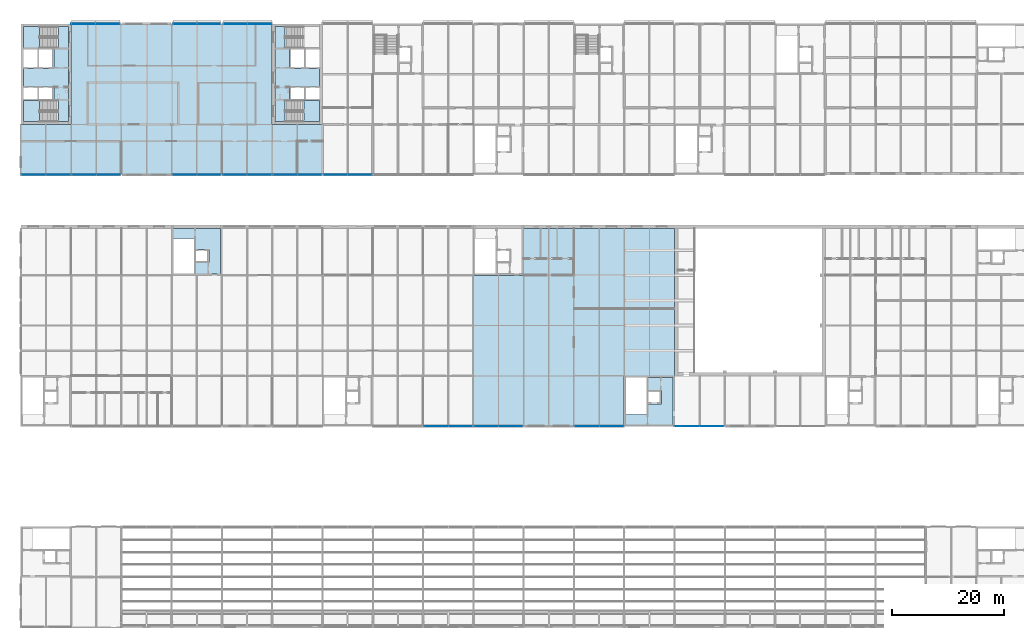
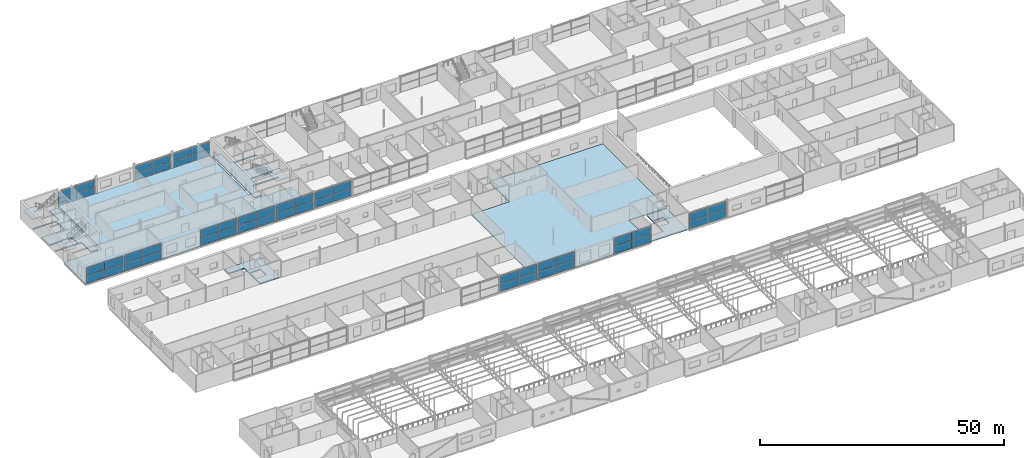
# One storey, part 100 of 138: 52 plates, 9 slabs, 16 elements without a shape of their own.
"""IFC4 building model written with IfcOpenShell, lengths in metres."""

from ifc_helpers import new_model, si_unit, direction, frame, origin, origin_2d, place, context, subcontext, project, spatial, polyline, rectangle, outline, extrude, material, layer, layer_set, type_object, element, aggregate, save


model = new_model("IFC4")

# Units and contexts
model_context = context("Model", 3, precision=1e-05, world=origin(), true_north=direction((0.0, 1.0)))
body_context = subcontext(model_context, "Body", "Model", "MODEL_VIEW")
ifc_project = project(units=[si_unit("LENGTHUNIT", "METRE"), si_unit("AREAUNIT", "SQUARE_METRE"), si_unit("VOLUMEUNIT", "CUBIC_METRE"), si_unit("PLANEANGLEUNIT", "RADIAN"), si_unit("MASSUNIT", "GRAM", prefix="KILO")], contexts=[model_context])

# Site, building, storey
site_placement = place(None, origin())
site = spatial("IfcSite", under=ifc_project, at=site_placement, CompositionType="ELEMENT")
building_placement = place(site_placement, origin())
building = spatial("IfcBuilding", under=site, at=building_placement, Name="Corbel Yard City Hall", CompositionType="ELEMENT")
storey_placement = place(building_placement, frame((0.0, 0.0, 10.5)))
storey = spatial("IfcBuildingStorey", under=building, at=storey_placement, Name="L02", CompositionType="ELEMENT", Elevation=10.5)

# Slabs
ifc_material_1 = material(Name="Concrete N40 (40 MPa)", Category="concrete")
ifc_layer_1 = layer(ifc_material_1, 0.25)
ifc_layer_set_1 = layer_set([ifc_layer_1], Name="Concrete N40 (40 MPa)")
slab_type_1 = type_object("IfcSlabType", Name="CF1", PredefinedType="FLOOR", material=ifc_layer_set_1)
slab_1_placement = place(storey_placement, frame((0.0, 0.0, -0.25)))
element("IfcSlab", 1, at=slab_1_placement, inside=storey, type_object=slab_type_1, Name="Core floor slab", PredefinedType="FLOOR", context=body_context, shape_type="SweptSolid", body=[
    extrude(outline(polyline([(27.25, 80.39990234375), (27.25, 78.59912109375), (31.050048828125, 78.59912109375), (31.050048828125, 72.25), (35.75, 72.25), (35.75, 80.39990234375), (27.25, 80.39990234375)]), holes=[polyline([(33.64990234375, 74.25), (33.64990234375, 76.64990234375), (31.300048828125, 76.64990234375), (31.300048828125, 74.25), (33.64990234375, 74.25)])]), origin(), (0.0, 0.0, 1.0), 0.25),
])
slab_2_placement = place(storey_placement, frame((0.0, 0.0, -0.25)))
element("IfcSlab", 2, at=slab_2_placement, inside=storey, type_object=slab_type_1, Name="Core floor slab", PredefinedType="FLOOR", context=body_context, shape_type="SweptSolid", body=[
    extrude(outline(polyline([(116.75, 53.75), (112.050048828125, 53.75), (112.050048828125, 47.051025390625), (108.25, 47.051025390625), (108.25, 45.25), (116.75, 45.25), (116.75, 53.75)]), holes=[polyline([(114.64990234375, 49.0), (114.64990234375, 51.39990234375), (112.300048828125, 51.39990234375), (112.300048828125, 49.0), (114.64990234375, 49.0)])]), origin(), (0.0, 0.0, 1.0), 0.25),
])
slab_3_placement = place(storey_placement, frame((0.0, 0.0, -0.25)))
element("IfcSlab", 3, at=slab_3_placement, inside=storey, type_object=slab_type_1, Name="Core floor slab", PredefinedType="FLOOR", context=body_context, shape_type="SweptSolid", body=[
    extrude(outline(polyline([(8.5, 116.5), (6.698974609375, 116.5), (6.698974609375, 112.699951171875), (0.5, 112.699951171875), (0.5, 112.449951171875), (5.89990234375, 112.449951171875), (5.89990234375, 109.0), (0.5, 109.0), (0.5, 105.800048828125), (5.89990234375, 105.800048828125), (5.89990234375, 103.550048828125), (0.5, 103.550048828125), (0.5, 103.300048828125), (6.698974609375, 103.300048828125), (6.698974609375, 99.5), (8.5, 99.5), (8.5, 116.5)])), origin(), (0.0, 0.0, 1.0), 0.25),
])
slab_4_placement = place(storey_placement, frame((0.0, 0.0, -0.25)))
element("IfcSlab", 4, at=slab_4_placement, inside=storey, type_object=slab_type_1, Name="Core floor slab", PredefinedType="FLOOR", context=body_context, shape_type="SweptSolid", body=[
    extrude(outline(polyline([(53.5, 103.300048828125), (53.5, 103.550048828125), (48.10009765625, 103.550048828125), (48.10009765625, 105.800048828125), (53.5, 105.800048828125), (53.5, 109.0), (48.10009765625, 109.0), (48.10009765625, 112.449951171875), (53.5, 112.449951171875), (53.5, 112.699951171875), (47.301025390625, 112.699951171875), (47.301025390625, 116.5), (45.5, 116.5), (45.5, 99.5), (47.301025390625, 99.5), (47.301025390625, 103.300048828125), (53.5, 103.300048828125)])), origin(), (0.0, 0.0, 1.0), 0.25),
])
ifc_layer_2 = layer(ifc_material_1, 0.14990234375)
ifc_layer_set_2 = layer_set([ifc_layer_2], Name="Concrete N40 (40 MPa)")
slab_type_2 = type_object("IfcSlabType", Name="Floor slab 150", PredefinedType="FLOOR", material=ifc_layer_set_2)
slab_5_placement = place(storey_placement, frame((0.0, 0.0, -0.14990234375)))
element("IfcSlab", 5, at=slab_5_placement, inside=storey, type_object=slab_type_2, Name="Floor slab Civic Foyer", PredefinedType="FLOOR", context=body_context, shape_type="SweptSolid", body=[
    extrude(outline(polyline([(90.0, 80.39990234375), (90.0, 72.0), (81.0, 72.0), (81.0, 45.0), (108.0, 45.0), (108.0, 54.0), (117.0, 54.0), (117.0, 80.39990234375), (90.0, 80.39990234375)])), origin(), (0.0, 0.0, 1.0), 0.14990234375),
])
slab_6_placement = place(storey_placement, frame((0.0, 0.0, -0.14990234375)))
element("IfcSlab", 6, at=slab_6_placement, inside=storey, type_object=slab_type_2, Name="Floor slab Tower base", PredefinedType="FLOOR", context=body_context, shape_type="SweptSolid", body=[
    extrude(outline(polyline([(54.0, 90.0), (54.0, 99.0), (45.0, 99.0), (45.0, 117.0), (9.0, 117.0), (9.0, 99.0), (0.0, 99.0), (0.0, 90.0), (54.0, 90.0)])), origin(), (0.0, 0.0, 1.0), 0.14990234375),
])

# Stair, slab
stair_type = type_object("IfcStairType", Name="ST1", PredefinedType="HALF_TURN_STAIR", material=ifc_material_1)
stair_1_placement = place(storey_placement, origin())
stair_1 = element("IfcStair", 7, at=stair_1_placement, inside=storey, type_object=stair_type, Name="Exit stair ST-W1 L02", PredefinedType="HALF_TURN_STAIR")
ifc_layer_3 = layer(ifc_material_1, 0.199951171875)
ifc_layer_set_3 = layer_set([ifc_layer_3], Name="Concrete N40 (40 MPa)")
slab_type_3 = type_object("IfcSlabType", Name="LN1", PredefinedType="LANDING", material=ifc_layer_set_3)
slab_7_placement = place(storey_placement, frame((0.0, 0.0, 2.050048828125)))
slab_7 = element("IfcSlab", 8, at=slab_7_placement, type_object=slab_type_3, Name="ST-W1 landing 1", PredefinedType="LANDING", context=body_context, shape_type="SweptSolid", body=[
    extrude(outline(polyline([(0.5, 99.5), (3.340087890625, 99.5), (3.340087890625, 103.300048828125), (0.5, 103.300048828125), (0.5, 99.5)])), origin(), (0.0, 0.0, 1.0), 0.199951171875),
])
aggregate(stair_1, [slab_7])

stair_2_placement = place(storey_placement, origin())
stair_2 = element("IfcStair", 9, at=stair_2_placement, inside=storey, type_object=stair_type, Name="Exit stair ST-W2 L02", PredefinedType="HALF_TURN_STAIR")
slab_8_placement = place(storey_placement, frame((0.0, 0.0, 2.050048828125)))
slab_8 = element("IfcSlab", 10, at=slab_8_placement, type_object=slab_type_3, Name="ST-W2 landing 1", PredefinedType="LANDING", context=body_context, shape_type="SweptSolid", body=[
    extrude(outline(polyline([(0.5, 112.699951171875), (3.340087890625, 112.699951171875), (3.340087890625, 116.5), (0.5, 116.5), (0.5, 112.699951171875)])), origin(), (0.0, 0.0, 1.0), 0.199951171875),
])
aggregate(stair_2, [slab_8])

stair_3_placement = place(storey_placement, origin())
stair_3 = element("IfcStair", 11, at=stair_3_placement, inside=storey, type_object=stair_type, Name="Exit stair ST-E1 L02", PredefinedType="HALF_TURN_STAIR")
slab_9_placement = place(storey_placement, frame((0.0, 0.0, 2.050048828125)))
slab_9 = element("IfcSlab", 12, at=slab_9_placement, type_object=slab_type_3, Name="ST-E1 landing 1", PredefinedType="LANDING", context=body_context, shape_type="SweptSolid", body=[
    extrude(outline(polyline([(50.659912109375, 99.5), (53.5, 99.5), (53.5, 103.300048828125), (50.659912109375, 103.300048828125), (50.659912109375, 99.5)])), origin(), (0.0, 0.0, 1.0), 0.199951171875),
])
aggregate(stair_3, [slab_9])

# Curtain wall, plates
ifc_material_2 = material(Name="Aluminium extrusion", Category="aluminium")
ifc_layer_4 = layer(ifc_material_2, 0.199951171875)
ifc_layer_set_4 = layer_set([ifc_layer_4], Name="Aluminium extrusion")
curtain_wall_type_1 = type_object("IfcCurtainWallType", Name="CW1", PredefinedType="USERDEFINED", material=ifc_layer_set_4)
curtain_wall_1_placement = place(storey_placement, origin())
curtain_wall_1 = element("IfcCurtainWall", 13, at=curtain_wall_1_placement, inside=storey, type_object=curtain_wall_type_1, Name="Curtain wall CW1 L02", ObjectType="CURTAIN WALL", PredefinedType="USERDEFINED")
ifc_material_3 = material(Name="Laminated glass", Category="glass")
ifc_layer_5 = layer(ifc_material_3, 0.035888671875)
ifc_layer_set_5 = layer_set([ifc_layer_5], Name="Laminated glass")
plate_type_1 = type_object("IfcPlateType", Name="PN1", PredefinedType="CURTAIN_PANEL", material=ifc_layer_set_5)
plate_1_placement = place(storey_placement, frame((74.329833984375, 45.0, 0.06494140625), z_axis=(0.0, 0.0, 1.0), x_axis=(1.0, 0.0, 0.0)))
plate_1 = element("IfcPlate", 14, at=plate_1_placement, type_object=plate_type_1, Name="CW1 panel 1.1", PredefinedType="CURTAIN_PANEL", context=body_context, shape_type="SweptSolid", body=[
    extrude(rectangle(XDim=4.275390625, YDim=0.035888671875, at=origin_2d()), origin(), (0.0, 0.0, 1.0), 1.89794921875),
])
plate_2_placement = place(storey_placement, frame((74.329833984375, 45.0, 2.028076171875), z_axis=(0.0, 0.0, 1.0), x_axis=(1.0, 0.0, 0.0)))
plate_2 = element("IfcPlate", 15, at=plate_2_placement, type_object=plate_type_1, Name="CW1 panel 1.2", PredefinedType="CURTAIN_PANEL", context=body_context, shape_type="SweptSolid", body=[
    extrude(rectangle(XDim=4.275390625, YDim=0.035888671875, at=origin_2d()), origin(), (0.0, 0.0, 1.0), 1.89794921875),
])
plate_3_placement = place(storey_placement, frame((78.670166015625, 45.0, 0.06494140625), z_axis=(0.0, 0.0, 1.0), x_axis=(1.0, 0.0, 0.0)))
plate_3 = element("IfcPlate", 16, at=plate_3_placement, type_object=plate_type_1, Name="CW1 panel 2.1", PredefinedType="CURTAIN_PANEL", context=body_context, shape_type="SweptSolid", body=[
    extrude(rectangle(XDim=4.275390625, YDim=0.035888671875, at=origin_2d()), origin(), (0.0, 0.0, 1.0), 1.89794921875),
])
plate_4_placement = place(storey_placement, frame((78.670166015625, 45.0, 2.028076171875), z_axis=(0.0, 0.0, 1.0), x_axis=(1.0, 0.0, 0.0)))
plate_4 = element("IfcPlate", 17, at=plate_4_placement, type_object=plate_type_1, Name="CW1 panel 2.2", PredefinedType="CURTAIN_PANEL", context=body_context, shape_type="SweptSolid", body=[
    extrude(rectangle(XDim=4.275390625, YDim=0.035888671875, at=origin_2d()), origin(), (0.0, 0.0, 1.0), 1.89794921875),
])
aggregate(curtain_wall_1, [plate_1, plate_2, plate_3, plate_4])

curtain_wall_2_placement = place(storey_placement, origin())
curtain_wall_2 = element("IfcCurtainWall", 18, at=curtain_wall_2_placement, inside=storey, type_object=curtain_wall_type_1, Name="Curtain wall CW1 L02", ObjectType="CURTAIN WALL", PredefinedType="USERDEFINED")
plate_5_placement = place(storey_placement, frame((83.329833984375, 45.0, 0.06494140625), z_axis=(0.0, 0.0, 1.0), x_axis=(1.0, 0.0, 0.0)))
plate_5 = element("IfcPlate", 19, at=plate_5_placement, type_object=plate_type_1, Name="CW1 panel 1.1", PredefinedType="CURTAIN_PANEL", context=body_context, shape_type="SweptSolid", body=[
    extrude(rectangle(XDim=4.275390625, YDim=0.035888671875, at=origin_2d()), origin(), (0.0, 0.0, 1.0), 1.89794921875),
])
plate_6_placement = place(storey_placement, frame((83.329833984375, 45.0, 2.028076171875), z_axis=(0.0, 0.0, 1.0), x_axis=(1.0, 0.0, 0.0)))
plate_6 = element("IfcPlate", 20, at=plate_6_placement, type_object=plate_type_1, Name="CW1 panel 1.2", PredefinedType="CURTAIN_PANEL", context=body_context, shape_type="SweptSolid", body=[
    extrude(rectangle(XDim=4.275390625, YDim=0.035888671875, at=origin_2d()), origin(), (0.0, 0.0, 1.0), 1.89794921875),
])
plate_7_placement = place(storey_placement, frame((87.670166015625, 45.0, 0.06494140625), z_axis=(0.0, 0.0, 1.0), x_axis=(1.0, 0.0, 0.0)))
plate_7 = element("IfcPlate", 21, at=plate_7_placement, type_object=plate_type_1, Name="CW1 panel 2.1", PredefinedType="CURTAIN_PANEL", context=body_context, shape_type="SweptSolid", body=[
    extrude(rectangle(XDim=4.275390625, YDim=0.035888671875, at=origin_2d()), origin(), (0.0, 0.0, 1.0), 1.89794921875),
])
plate_8_placement = place(storey_placement, frame((87.670166015625, 45.0, 2.028076171875), z_axis=(0.0, 0.0, 1.0), x_axis=(1.0, 0.0, 0.0)))
plate_8 = element("IfcPlate", 22, at=plate_8_placement, type_object=plate_type_1, Name="CW1 panel 2.2", PredefinedType="CURTAIN_PANEL", context=body_context, shape_type="SweptSolid", body=[
    extrude(rectangle(XDim=4.275390625, YDim=0.035888671875, at=origin_2d()), origin(), (0.0, 0.0, 1.0), 1.89794921875),
])
aggregate(curtain_wall_2, [plate_5, plate_6, plate_7, plate_8])

curtain_wall_3_placement = place(storey_placement, origin())
curtain_wall_3 = element("IfcCurtainWall", 23, at=curtain_wall_3_placement, inside=storey, type_object=curtain_wall_type_1, Name="Curtain wall CW1 L02", ObjectType="CURTAIN WALL", PredefinedType="USERDEFINED")
plate_9_placement = place(storey_placement, frame((101.361572265625, 45.0, 0.06494140625), z_axis=(0.0, 0.0, 1.0), x_axis=(1.0, 0.0, 0.0)))
plate_9 = element("IfcPlate", 24, at=plate_9_placement, type_object=plate_type_1, Name="CW1 panel 1.1", PredefinedType="CURTAIN_PANEL", context=body_context, shape_type="SweptSolid", body=[
    extrude(rectangle(XDim=4.339111328125, YDim=0.035888671875, at=origin_2d()), origin(), (0.0, 0.0, 1.0), 1.89794921875),
])
plate_10_placement = place(storey_placement, frame((101.361572265625, 45.0, 2.028076171875), z_axis=(0.0, 0.0, 1.0), x_axis=(1.0, 0.0, 0.0)))
plate_10 = element("IfcPlate", 25, at=plate_10_placement, type_object=plate_type_1, Name="CW1 panel 1.2", PredefinedType="CURTAIN_PANEL", context=body_context, shape_type="SweptSolid", body=[
    extrude(rectangle(XDim=4.339111328125, YDim=0.035888671875, at=origin_2d()), origin(), (0.0, 0.0, 1.0), 1.89794921875),
])
plate_11_placement = place(storey_placement, frame((105.765380859375, 45.0, 0.06494140625), z_axis=(0.0, 0.0, 1.0), x_axis=(1.0, 0.0, 0.0)))
plate_11 = element("IfcPlate", 26, at=plate_11_placement, type_object=plate_type_1, Name="CW1 panel 2.1", PredefinedType="CURTAIN_PANEL", context=body_context, shape_type="SweptSolid", body=[
    extrude(rectangle(XDim=4.339111328125, YDim=0.035888671875, at=origin_2d()), origin(), (0.0, 0.0, 1.0), 1.89794921875),
])
plate_12_placement = place(storey_placement, frame((105.765380859375, 45.0, 2.028076171875), z_axis=(0.0, 0.0, 1.0), x_axis=(1.0, 0.0, 0.0)))
plate_12 = element("IfcPlate", 27, at=plate_12_placement, type_object=plate_type_1, Name="CW1 panel 2.2", PredefinedType="CURTAIN_PANEL", context=body_context, shape_type="SweptSolid", body=[
    extrude(rectangle(XDim=4.339111328125, YDim=0.035888671875, at=origin_2d()), origin(), (0.0, 0.0, 1.0), 1.89794921875),
])
aggregate(curtain_wall_3, [plate_9, plate_10, plate_11, plate_12])

curtain_wall_4_placement = place(storey_placement, origin())
curtain_wall_4 = element("IfcCurtainWall", 28, at=curtain_wall_4_placement, inside=storey, type_object=curtain_wall_type_1, Name="Curtain wall CW1 L02", ObjectType="CURTAIN WALL", PredefinedType="USERDEFINED")
plate_13_placement = place(storey_placement, frame((2.329833984375, 90.0, 0.06494140625), z_axis=(0.0, 0.0, 1.0), x_axis=(1.0, 0.0, 0.0)))
plate_13 = element("IfcPlate", 29, at=plate_13_placement, type_object=plate_type_1, Name="CW1 panel 1.1", PredefinedType="CURTAIN_PANEL", context=body_context, shape_type="SweptSolid", body=[
    extrude(rectangle(XDim=4.275390625, YDim=0.035888671875, at=origin_2d()), origin(), (0.0, 0.0, 1.0), 1.89794921875),
])
plate_14_placement = place(storey_placement, frame((2.329833984375, 90.0, 2.028076171875), z_axis=(0.0, 0.0, 1.0), x_axis=(1.0, 0.0, 0.0)))
plate_14 = element("IfcPlate", 30, at=plate_14_placement, type_object=plate_type_1, Name="CW1 panel 1.2", PredefinedType="CURTAIN_PANEL", context=body_context, shape_type="SweptSolid", body=[
    extrude(rectangle(XDim=4.275390625, YDim=0.035888671875, at=origin_2d()), origin(), (0.0, 0.0, 1.0), 1.89794921875),
])
plate_15_placement = place(storey_placement, frame((6.670166015625, 90.0, 0.06494140625), z_axis=(0.0, 0.0, 1.0), x_axis=(1.0, 0.0, 0.0)))
plate_15 = element("IfcPlate", 31, at=plate_15_placement, type_object=plate_type_1, Name="CW1 panel 2.1", PredefinedType="CURTAIN_PANEL", context=body_context, shape_type="SweptSolid", body=[
    extrude(rectangle(XDim=4.275390625, YDim=0.035888671875, at=origin_2d()), origin(), (0.0, 0.0, 1.0), 1.89794921875),
])
plate_16_placement = place(storey_placement, frame((6.670166015625, 90.0, 2.028076171875), z_axis=(0.0, 0.0, 1.0), x_axis=(1.0, 0.0, 0.0)))
plate_16 = element("IfcPlate", 32, at=plate_16_placement, type_object=plate_type_1, Name="CW1 panel 2.2", PredefinedType="CURTAIN_PANEL", context=body_context, shape_type="SweptSolid", body=[
    extrude(rectangle(XDim=4.275390625, YDim=0.035888671875, at=origin_2d()), origin(), (0.0, 0.0, 1.0), 1.89794921875),
])
aggregate(curtain_wall_4, [plate_13, plate_14, plate_15, plate_16])

curtain_wall_5_placement = place(storey_placement, origin())
curtain_wall_5 = element("IfcCurtainWall", 33, at=curtain_wall_5_placement, inside=storey, type_object=curtain_wall_type_1, Name="Curtain wall CW1 L02", ObjectType="CURTAIN WALL", PredefinedType="USERDEFINED")
plate_17_placement = place(storey_placement, frame((11.329833984375, 90.0, 0.06494140625), z_axis=(0.0, 0.0, 1.0), x_axis=(1.0, 0.0, 0.0)))
plate_17 = element("IfcPlate", 34, at=plate_17_placement, type_object=plate_type_1, Name="CW1 panel 1.1", PredefinedType="CURTAIN_PANEL", context=body_context, shape_type="SweptSolid", body=[
    extrude(rectangle(XDim=4.275390625, YDim=0.035888671875, at=origin_2d()), origin(), (0.0, 0.0, 1.0), 1.89794921875),
])
plate_18_placement = place(storey_placement, frame((11.329833984375, 90.0, 2.028076171875), z_axis=(0.0, 0.0, 1.0), x_axis=(1.0, 0.0, 0.0)))
plate_18 = element("IfcPlate", 35, at=plate_18_placement, type_object=plate_type_1, Name="CW1 panel 1.2", PredefinedType="CURTAIN_PANEL", context=body_context, shape_type="SweptSolid", body=[
    extrude(rectangle(XDim=4.275390625, YDim=0.035888671875, at=origin_2d()), origin(), (0.0, 0.0, 1.0), 1.89794921875),
])
plate_19_placement = place(storey_placement, frame((15.670166015625, 90.0, 0.06494140625), z_axis=(0.0, 0.0, 1.0), x_axis=(1.0, 0.0, 0.0)))
plate_19 = element("IfcPlate", 36, at=plate_19_placement, type_object=plate_type_1, Name="CW1 panel 2.1", PredefinedType="CURTAIN_PANEL", context=body_context, shape_type="SweptSolid", body=[
    extrude(rectangle(XDim=4.275390625, YDim=0.035888671875, at=origin_2d()), origin(), (0.0, 0.0, 1.0), 1.89794921875),
])
plate_20_placement = place(storey_placement, frame((15.670166015625, 90.0, 2.028076171875), z_axis=(0.0, 0.0, 1.0), x_axis=(1.0, 0.0, 0.0)))
plate_20 = element("IfcPlate", 37, at=plate_20_placement, type_object=plate_type_1, Name="CW1 panel 2.2", PredefinedType="CURTAIN_PANEL", context=body_context, shape_type="SweptSolid", body=[
    extrude(rectangle(XDim=4.275390625, YDim=0.035888671875, at=origin_2d()), origin(), (0.0, 0.0, 1.0), 1.89794921875),
])
aggregate(curtain_wall_5, [plate_17, plate_18, plate_19, plate_20])

curtain_wall_6_placement = place(storey_placement, origin())
curtain_wall_6 = element("IfcCurtainWall", 38, at=curtain_wall_6_placement, inside=storey, type_object=curtain_wall_type_1, Name="Curtain wall CW1 L02", ObjectType="CURTAIN WALL", PredefinedType="USERDEFINED")
plate_21_placement = place(storey_placement, frame((29.329833984375, 90.0, 0.06494140625), z_axis=(0.0, 0.0, 1.0), x_axis=(1.0, 0.0, 0.0)))
plate_21 = element("IfcPlate", 39, at=plate_21_placement, type_object=plate_type_1, Name="CW1 panel 1.1", PredefinedType="CURTAIN_PANEL", context=body_context, shape_type="SweptSolid", body=[
    extrude(rectangle(XDim=4.275390625, YDim=0.035888671875, at=origin_2d()), origin(), (0.0, 0.0, 1.0), 1.89794921875),
])
plate_22_placement = place(storey_placement, frame((29.329833984375, 90.0, 2.028076171875), z_axis=(0.0, 0.0, 1.0), x_axis=(1.0, 0.0, 0.0)))
plate_22 = element("IfcPlate", 40, at=plate_22_placement, type_object=plate_type_1, Name="CW1 panel 1.2", PredefinedType="CURTAIN_PANEL", context=body_context, shape_type="SweptSolid", body=[
    extrude(rectangle(XDim=4.275390625, YDim=0.035888671875, at=origin_2d()), origin(), (0.0, 0.0, 1.0), 1.89794921875),
])
plate_23_placement = place(storey_placement, frame((33.670166015625, 90.0, 0.06494140625), z_axis=(0.0, 0.0, 1.0), x_axis=(1.0, 0.0, 0.0)))
plate_23 = element("IfcPlate", 41, at=plate_23_placement, type_object=plate_type_1, Name="CW1 panel 2.1", PredefinedType="CURTAIN_PANEL", context=body_context, shape_type="SweptSolid", body=[
    extrude(rectangle(XDim=4.275390625, YDim=0.035888671875, at=origin_2d()), origin(), (0.0, 0.0, 1.0), 1.89794921875),
])
plate_24_placement = place(storey_placement, frame((33.670166015625, 90.0, 2.028076171875), z_axis=(0.0, 0.0, 1.0), x_axis=(1.0, 0.0, 0.0)))
plate_24 = element("IfcPlate", 42, at=plate_24_placement, type_object=plate_type_1, Name="CW1 panel 2.2", PredefinedType="CURTAIN_PANEL", context=body_context, shape_type="SweptSolid", body=[
    extrude(rectangle(XDim=4.275390625, YDim=0.035888671875, at=origin_2d()), origin(), (0.0, 0.0, 1.0), 1.89794921875),
])
aggregate(curtain_wall_6, [plate_21, plate_22, plate_23, plate_24])

curtain_wall_7_placement = place(storey_placement, origin())
curtain_wall_7 = element("IfcCurtainWall", 43, at=curtain_wall_7_placement, inside=storey, type_object=curtain_wall_type_1, Name="Curtain wall CW1 L02", ObjectType="CURTAIN WALL", PredefinedType="USERDEFINED")
plate_25_placement = place(storey_placement, frame((38.329833984375, 90.0, 0.06494140625), z_axis=(0.0, 0.0, 1.0), x_axis=(1.0, 0.0, 0.0)))
plate_25 = element("IfcPlate", 44, at=plate_25_placement, type_object=plate_type_1, Name="CW1 panel 1.1", PredefinedType="CURTAIN_PANEL", context=body_context, shape_type="SweptSolid", body=[
    extrude(rectangle(XDim=4.275390625, YDim=0.035888671875, at=origin_2d()), origin(), (0.0, 0.0, 1.0), 1.89794921875),
])
plate_26_placement = place(storey_placement, frame((38.329833984375, 90.0, 2.028076171875), z_axis=(0.0, 0.0, 1.0), x_axis=(1.0, 0.0, 0.0)))
plate_26 = element("IfcPlate", 45, at=plate_26_placement, type_object=plate_type_1, Name="CW1 panel 1.2", PredefinedType="CURTAIN_PANEL", context=body_context, shape_type="SweptSolid", body=[
    extrude(rectangle(XDim=4.275390625, YDim=0.035888671875, at=origin_2d()), origin(), (0.0, 0.0, 1.0), 1.89794921875),
])
plate_27_placement = place(storey_placement, frame((42.670166015625, 90.0, 0.06494140625), z_axis=(0.0, 0.0, 1.0), x_axis=(1.0, 0.0, 0.0)))
plate_27 = element("IfcPlate", 46, at=plate_27_placement, type_object=plate_type_1, Name="CW1 panel 2.1", PredefinedType="CURTAIN_PANEL", context=body_context, shape_type="SweptSolid", body=[
    extrude(rectangle(XDim=4.275390625, YDim=0.035888671875, at=origin_2d()), origin(), (0.0, 0.0, 1.0), 1.89794921875),
])
plate_28_placement = place(storey_placement, frame((42.670166015625, 90.0, 2.028076171875), z_axis=(0.0, 0.0, 1.0), x_axis=(1.0, 0.0, 0.0)))
plate_28 = element("IfcPlate", 47, at=plate_28_placement, type_object=plate_type_1, Name="CW1 panel 2.2", PredefinedType="CURTAIN_PANEL", context=body_context, shape_type="SweptSolid", body=[
    extrude(rectangle(XDim=4.275390625, YDim=0.035888671875, at=origin_2d()), origin(), (0.0, 0.0, 1.0), 1.89794921875),
])
aggregate(curtain_wall_7, [plate_25, plate_26, plate_27, plate_28])

curtain_wall_8_placement = place(storey_placement, origin())
curtain_wall_8 = element("IfcCurtainWall", 48, at=curtain_wall_8_placement, inside=storey, type_object=curtain_wall_type_1, Name="Curtain wall CW1 L02", ObjectType="CURTAIN WALL", PredefinedType="USERDEFINED")
plate_29_placement = place(storey_placement, frame((47.329833984375, 90.0, 0.06494140625), z_axis=(0.0, 0.0, 1.0), x_axis=(1.0, 0.0, 0.0)))
plate_29 = element("IfcPlate", 49, at=plate_29_placement, type_object=plate_type_1, Name="CW1 panel 1.1", PredefinedType="CURTAIN_PANEL", context=body_context, shape_type="SweptSolid", body=[
    extrude(rectangle(XDim=4.275390625, YDim=0.035888671875, at=origin_2d()), origin(), (0.0, 0.0, 1.0), 1.89794921875),
])
plate_30_placement = place(storey_placement, frame((47.329833984375, 90.0, 2.028076171875), z_axis=(0.0, 0.0, 1.0), x_axis=(1.0, 0.0, 0.0)))
plate_30 = element("IfcPlate", 50, at=plate_30_placement, type_object=plate_type_1, Name="CW1 panel 1.2", PredefinedType="CURTAIN_PANEL", context=body_context, shape_type="SweptSolid", body=[
    extrude(rectangle(XDim=4.275390625, YDim=0.035888671875, at=origin_2d()), origin(), (0.0, 0.0, 1.0), 1.89794921875),
])
plate_31_placement = place(storey_placement, frame((51.670166015625, 90.0, 0.06494140625), z_axis=(0.0, 0.0, 1.0), x_axis=(1.0, 0.0, 0.0)))
plate_31 = element("IfcPlate", 51, at=plate_31_placement, type_object=plate_type_1, Name="CW1 panel 2.1", PredefinedType="CURTAIN_PANEL", context=body_context, shape_type="SweptSolid", body=[
    extrude(rectangle(XDim=4.275390625, YDim=0.035888671875, at=origin_2d()), origin(), (0.0, 0.0, 1.0), 1.89794921875),
])
plate_32_placement = place(storey_placement, frame((51.670166015625, 90.0, 2.028076171875), z_axis=(0.0, 0.0, 1.0), x_axis=(1.0, 0.0, 0.0)))
plate_32 = element("IfcPlate", 52, at=plate_32_placement, type_object=plate_type_1, Name="CW1 panel 2.2", PredefinedType="CURTAIN_PANEL", context=body_context, shape_type="SweptSolid", body=[
    extrude(rectangle(XDim=4.275390625, YDim=0.035888671875, at=origin_2d()), origin(), (0.0, 0.0, 1.0), 1.89794921875),
])
aggregate(curtain_wall_8, [plate_29, plate_30, plate_31, plate_32])

curtain_wall_9_placement = place(storey_placement, origin())
curtain_wall_9 = element("IfcCurtainWall", 53, at=curtain_wall_9_placement, inside=storey, type_object=curtain_wall_type_1, Name="Curtain wall CW1 L02", ObjectType="CURTAIN WALL", PredefinedType="USERDEFINED")
plate_33_placement = place(storey_placement, frame((56.329833984375, 90.0, 0.06494140625), z_axis=(0.0, 0.0, 1.0), x_axis=(1.0, 0.0, 0.0)))
plate_33 = element("IfcPlate", 54, at=plate_33_placement, type_object=plate_type_1, Name="CW1 panel 1.1", PredefinedType="CURTAIN_PANEL", context=body_context, shape_type="SweptSolid", body=[
    extrude(rectangle(XDim=4.275390625, YDim=0.035888671875, at=origin_2d()), origin(), (0.0, 0.0, 1.0), 1.89794921875),
])
plate_34_placement = place(storey_placement, frame((56.329833984375, 90.0, 2.028076171875), z_axis=(0.0, 0.0, 1.0), x_axis=(1.0, 0.0, 0.0)))
plate_34 = element("IfcPlate", 55, at=plate_34_placement, type_object=plate_type_1, Name="CW1 panel 1.2", PredefinedType="CURTAIN_PANEL", context=body_context, shape_type="SweptSolid", body=[
    extrude(rectangle(XDim=4.275390625, YDim=0.035888671875, at=origin_2d()), origin(), (0.0, 0.0, 1.0), 1.89794921875),
])
plate_35_placement = place(storey_placement, frame((60.670166015625, 90.0, 0.06494140625), z_axis=(0.0, 0.0, 1.0), x_axis=(1.0, 0.0, 0.0)))
plate_35 = element("IfcPlate", 56, at=plate_35_placement, type_object=plate_type_1, Name="CW1 panel 2.1", PredefinedType="CURTAIN_PANEL", context=body_context, shape_type="SweptSolid", body=[
    extrude(rectangle(XDim=4.275390625, YDim=0.035888671875, at=origin_2d()), origin(), (0.0, 0.0, 1.0), 1.89794921875),
])
plate_36_placement = place(storey_placement, frame((60.670166015625, 90.0, 2.028076171875), z_axis=(0.0, 0.0, 1.0), x_axis=(1.0, 0.0, 0.0)))
plate_36 = element("IfcPlate", 57, at=plate_36_placement, type_object=plate_type_1, Name="CW1 panel 2.2", PredefinedType="CURTAIN_PANEL", context=body_context, shape_type="SweptSolid", body=[
    extrude(rectangle(XDim=4.275390625, YDim=0.035888671875, at=origin_2d()), origin(), (0.0, 0.0, 1.0), 1.89794921875),
])
aggregate(curtain_wall_9, [plate_33, plate_34, plate_35, plate_36])

curtain_wall_10_placement = place(storey_placement, origin())
curtain_wall_10 = element("IfcCurtainWall", 58, at=curtain_wall_10_placement, inside=storey, type_object=curtain_wall_type_1, Name="Curtain wall CW1 L02", ObjectType="CURTAIN WALL", PredefinedType="USERDEFINED")
plate_37_placement = place(storey_placement, frame((11.206298828125, 117.0, 0.06494140625), z_axis=(0.0, 0.0, 1.0), x_axis=(1.0, 0.0, 0.0)))
plate_37 = element("IfcPlate", 59, at=plate_37_placement, type_object=plate_type_1, Name="CW1 panel 1.1", PredefinedType="CURTAIN_PANEL", context=body_context, shape_type="SweptSolid", body=[
    extrude(rectangle(XDim=4.282470703125, YDim=0.035888671875, at=origin_2d()), origin(), (0.0, 0.0, 1.0), 1.672607421875),
])
plate_38_placement = place(storey_placement, frame((11.206298828125, 117.0, 1.80224609375), z_axis=(0.0, 0.0, 1.0), x_axis=(1.0, 0.0, 0.0)))
plate_38 = element("IfcPlate", 60, at=plate_38_placement, type_object=plate_type_1, Name="CW1 panel 1.2", PredefinedType="CURTAIN_PANEL", context=body_context, shape_type="SweptSolid", body=[
    extrude(rectangle(XDim=4.282470703125, YDim=0.035888671875, at=origin_2d()), origin(), (0.0, 0.0, 1.0), 1.672607421875),
])
plate_39_placement = place(storey_placement, frame((15.5537109375, 117.0, 0.06494140625), z_axis=(0.0, 0.0, 1.0), x_axis=(1.0, 0.0, 0.0)))
plate_39 = element("IfcPlate", 61, at=plate_39_placement, type_object=plate_type_1, Name="CW1 panel 2.1", PredefinedType="CURTAIN_PANEL", context=body_context, shape_type="SweptSolid", body=[
    extrude(rectangle(XDim=4.282470703125, YDim=0.035888671875, at=origin_2d()), origin(), (0.0, 0.0, 1.0), 1.672607421875),
])
plate_40_placement = place(storey_placement, frame((15.5537109375, 117.0, 1.80224609375), z_axis=(0.0, 0.0, 1.0), x_axis=(1.0, 0.0, 0.0)))
plate_40 = element("IfcPlate", 62, at=plate_40_placement, type_object=plate_type_1, Name="CW1 panel 2.2", PredefinedType="CURTAIN_PANEL", context=body_context, shape_type="SweptSolid", body=[
    extrude(rectangle(XDim=4.282470703125, YDim=0.035888671875, at=origin_2d()), origin(), (0.0, 0.0, 1.0), 1.672607421875),
])
aggregate(curtain_wall_10, [plate_37, plate_38, plate_39, plate_40])

curtain_wall_11_placement = place(storey_placement, origin())
curtain_wall_11 = element("IfcCurtainWall", 63, at=curtain_wall_11_placement, inside=storey, type_object=curtain_wall_type_1, Name="Curtain wall CW1 L02", ObjectType="CURTAIN WALL", PredefinedType="USERDEFINED")
plate_41_placement = place(storey_placement, frame((29.38623046875, 117.0, 0.06494140625), z_axis=(0.0, 0.0, 1.0), x_axis=(1.0, 0.0, 0.0)))
plate_41 = element("IfcPlate", 64, at=plate_41_placement, type_object=plate_type_1, Name="CW1 panel 1.1", PredefinedType="CURTAIN_PANEL", context=body_context, shape_type="SweptSolid", body=[
    extrude(rectangle(XDim=4.16259765625, YDim=0.035888671875, at=origin_2d()), origin(), (0.0, 0.0, 1.0), 1.672607421875),
])
plate_42_placement = place(storey_placement, frame((29.38623046875, 117.0, 1.80224609375), z_axis=(0.0, 0.0, 1.0), x_axis=(1.0, 0.0, 0.0)))
plate_42 = element("IfcPlate", 65, at=plate_42_placement, type_object=plate_type_1, Name="CW1 panel 1.2", PredefinedType="CURTAIN_PANEL", context=body_context, shape_type="SweptSolid", body=[
    extrude(rectangle(XDim=4.16259765625, YDim=0.035888671875, at=origin_2d()), origin(), (0.0, 0.0, 1.0), 1.672607421875),
])
plate_43_placement = place(storey_placement, frame((33.61376953125, 117.0, 0.06494140625), z_axis=(0.0, 0.0, 1.0), x_axis=(1.0, 0.0, 0.0)))
plate_43 = element("IfcPlate", 66, at=plate_43_placement, type_object=plate_type_1, Name="CW1 panel 2.1", PredefinedType="CURTAIN_PANEL", context=body_context, shape_type="SweptSolid", body=[
    extrude(rectangle(XDim=4.16259765625, YDim=0.035888671875, at=origin_2d()), origin(), (0.0, 0.0, 1.0), 1.672607421875),
])
plate_44_placement = place(storey_placement, frame((33.61376953125, 117.0, 1.80224609375), z_axis=(0.0, 0.0, 1.0), x_axis=(1.0, 0.0, 0.0)))
plate_44 = element("IfcPlate", 67, at=plate_44_placement, type_object=plate_type_1, Name="CW1 panel 2.2", PredefinedType="CURTAIN_PANEL", context=body_context, shape_type="SweptSolid", body=[
    extrude(rectangle(XDim=4.16259765625, YDim=0.035888671875, at=origin_2d()), origin(), (0.0, 0.0, 1.0), 1.672607421875),
])
aggregate(curtain_wall_11, [plate_41, plate_42, plate_43, plate_44])

curtain_wall_12_placement = place(storey_placement, origin())
curtain_wall_12 = element("IfcCurtainWall", 68, at=curtain_wall_12_placement, inside=storey, type_object=curtain_wall_type_1, Name="Curtain wall CW1 L02", ObjectType="CURTAIN WALL", PredefinedType="USERDEFINED")
plate_45_placement = place(storey_placement, frame((38.4462890625, 117.0, 0.06494140625), z_axis=(0.0, 0.0, 1.0), x_axis=(1.0, 0.0, 0.0)))
plate_45 = element("IfcPlate", 69, at=plate_45_placement, type_object=plate_type_1, Name="CW1 panel 1.1", PredefinedType="CURTAIN_PANEL", context=body_context, shape_type="SweptSolid", body=[
    extrude(rectangle(XDim=4.282470703125, YDim=0.035888671875, at=origin_2d()), origin(), (0.0, 0.0, 1.0), 1.672607421875),
])
plate_46_placement = place(storey_placement, frame((38.4462890625, 117.0, 1.80224609375), z_axis=(0.0, 0.0, 1.0), x_axis=(1.0, 0.0, 0.0)))
plate_46 = element("IfcPlate", 70, at=plate_46_placement, type_object=plate_type_1, Name="CW1 panel 1.2", PredefinedType="CURTAIN_PANEL", context=body_context, shape_type="SweptSolid", body=[
    extrude(rectangle(XDim=4.282470703125, YDim=0.035888671875, at=origin_2d()), origin(), (0.0, 0.0, 1.0), 1.672607421875),
])
plate_47_placement = place(storey_placement, frame((42.793701171875, 117.0, 0.06494140625), z_axis=(0.0, 0.0, 1.0), x_axis=(1.0, 0.0, 0.0)))
plate_47 = element("IfcPlate", 71, at=plate_47_placement, type_object=plate_type_1, Name="CW1 panel 2.1", PredefinedType="CURTAIN_PANEL", context=body_context, shape_type="SweptSolid", body=[
    extrude(rectangle(XDim=4.282470703125, YDim=0.035888671875, at=origin_2d()), origin(), (0.0, 0.0, 1.0), 1.672607421875),
])
plate_48_placement = place(storey_placement, frame((42.793701171875, 117.0, 1.80224609375), z_axis=(0.0, 0.0, 1.0), x_axis=(1.0, 0.0, 0.0)))
plate_48 = element("IfcPlate", 72, at=plate_48_placement, type_object=plate_type_1, Name="CW1 panel 2.2", PredefinedType="CURTAIN_PANEL", context=body_context, shape_type="SweptSolid", body=[
    extrude(rectangle(XDim=4.282470703125, YDim=0.035888671875, at=origin_2d()), origin(), (0.0, 0.0, 1.0), 1.672607421875),
])
aggregate(curtain_wall_12, [plate_45, plate_46, plate_47, plate_48])

ifc_layer_6 = layer(ifc_material_2, 0.219970703125)
ifc_layer_set_6 = layer_set([ifc_layer_6], Name="Aluminium extrusion")
curtain_wall_type_2 = type_object("IfcCurtainWallType", Name="CW5", PredefinedType="USERDEFINED", material=ifc_layer_set_6)
curtain_wall_13_placement = place(storey_placement, origin())
curtain_wall_13 = element("IfcCurtainWall", 73, at=curtain_wall_13_placement, inside=storey, type_object=curtain_wall_type_2, Name="Curtain wall CW5 L02", ObjectType="CURTAIN WALL", PredefinedType="USERDEFINED")
ifc_material_4 = material(Name="Acoustic laminated glass", Category="glass")
ifc_layer_7 = layer(ifc_material_4, 0.031982421875)
ifc_layer_set_7 = layer_set([ifc_layer_7], Name="Acoustic laminated glass")
plate_type_2 = type_object("IfcPlateType", Name="PN6", PredefinedType="CURTAIN_PANEL", material=ifc_layer_set_7)
plate_49_placement = place(storey_placement, frame((119.234619140625, 45.0, 0.06494140625), z_axis=(0.0, 0.0, 1.0), x_axis=(1.0, 0.0, 0.0)))
plate_49 = element("IfcPlate", 74, at=plate_49_placement, type_object=plate_type_2, Name="CW5 panel 1.1", PredefinedType="CURTAIN_PANEL", context=body_context, shape_type="SweptSolid", body=[
    extrude(rectangle(XDim=4.339111328125, YDim=0.031982421875, at=origin_2d()), origin(), (0.0, 0.0, 1.0), 1.89794921875),
])
plate_50_placement = place(storey_placement, frame((119.234619140625, 45.0, 2.028076171875), z_axis=(0.0, 0.0, 1.0), x_axis=(1.0, 0.0, 0.0)))
plate_50 = element("IfcPlate", 75, at=plate_50_placement, type_object=plate_type_2, Name="CW5 panel 1.2", PredefinedType="CURTAIN_PANEL", context=body_context, shape_type="SweptSolid", body=[
    extrude(rectangle(XDim=4.339111328125, YDim=0.031982421875, at=origin_2d()), origin(), (0.0, 0.0, 1.0), 1.89794921875),
])
plate_51_placement = place(storey_placement, frame((123.638427734375, 45.0, 0.06494140625), z_axis=(0.0, 0.0, 1.0), x_axis=(1.0, 0.0, 0.0)))
plate_51 = element("IfcPlate", 76, at=plate_51_placement, type_object=plate_type_2, Name="CW5 panel 2.1", PredefinedType="CURTAIN_PANEL", context=body_context, shape_type="SweptSolid", body=[
    extrude(rectangle(XDim=4.339111328125, YDim=0.031982421875, at=origin_2d()), origin(), (0.0, 0.0, 1.0), 1.89794921875),
])
plate_52_placement = place(storey_placement, frame((123.638427734375, 45.0, 2.028076171875), z_axis=(0.0, 0.0, 1.0), x_axis=(1.0, 0.0, 0.0)))
plate_52 = element("IfcPlate", 77, at=plate_52_placement, type_object=plate_type_2, Name="CW5 panel 2.2", PredefinedType="CURTAIN_PANEL", context=body_context, shape_type="SweptSolid", body=[
    extrude(rectangle(XDim=4.339111328125, YDim=0.031982421875, at=origin_2d()), origin(), (0.0, 0.0, 1.0), 1.89794921875),
])
aggregate(curtain_wall_13, [plate_49, plate_50, plate_51, plate_52])

save(model, "model.ifc")
